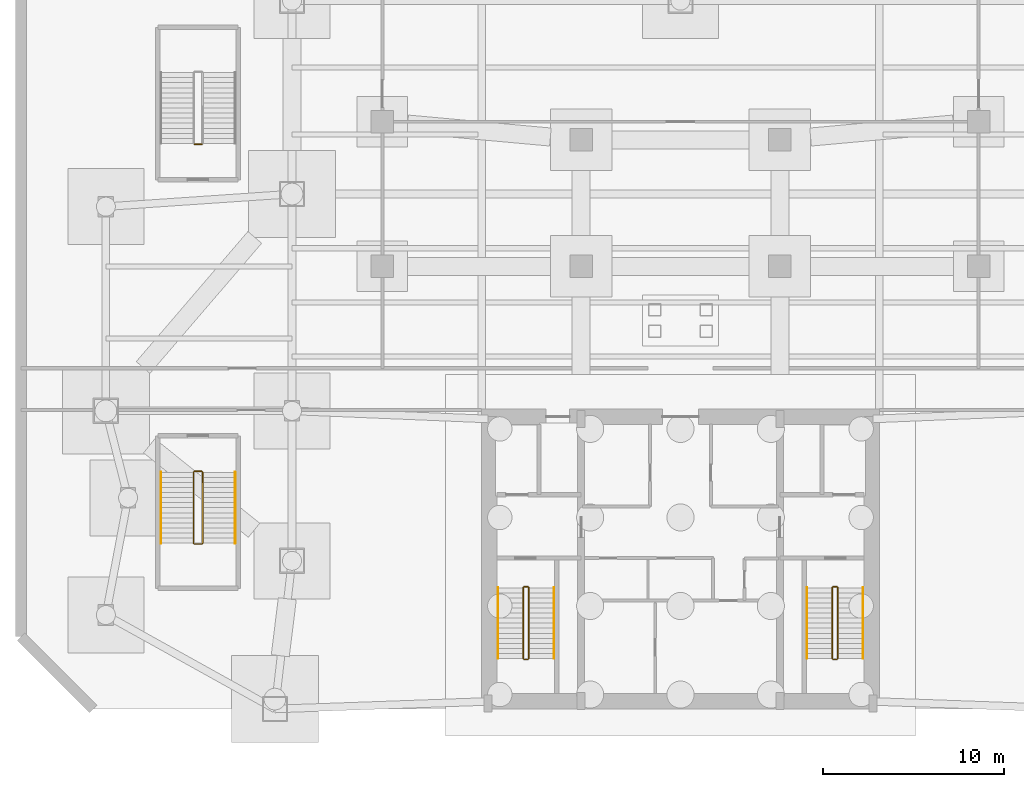
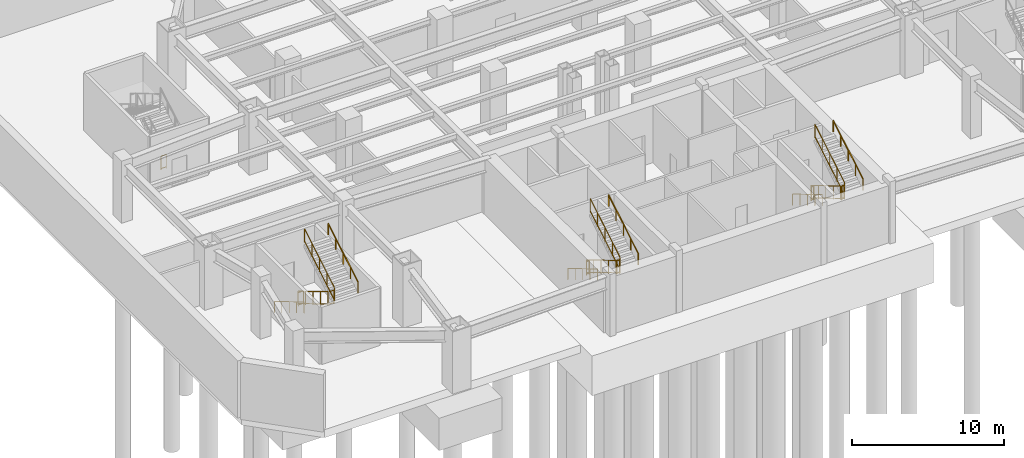
# One storey, part 6 of 7: 19 railings.
"""IFC4 building model written with IfcOpenShell, lengths in metres."""

from ifc_helpers import new_model, si_unit, direction, frame, origin, origin_2d, place, context, subcontext, project, spatial, rectangle, extrude, material, type_object, element, save


model = new_model("IFC4")

# Units and contexts
model_context = context("Model", 3, precision=1e-05, world=origin(), true_north=direction((0.0, 1.0)))
body_context = subcontext(model_context, "Body", "Model", "MODEL_VIEW")
ifc_project = project(units=[si_unit("LENGTHUNIT", "METRE"), si_unit("AREAUNIT", "SQUARE_METRE"), si_unit("VOLUMEUNIT", "CUBIC_METRE"), si_unit("PLANEANGLEUNIT", "RADIAN"), si_unit("MASSUNIT", "GRAM", prefix="KILO")], contexts=[model_context])

# Site, building, storey
site_placement = place(None, origin())
site = spatial("IfcSite", under=ifc_project, at=site_placement, CompositionType="ELEMENT")
building_placement = place(site_placement, origin())
building = spatial("IfcBuilding", under=site, at=building_placement, Name="Varnakhor Terracotta Tower", CompositionType="ELEMENT")
storey_placement = place(building_placement, frame((0.0, 0.0, -10.0)))
storey = spatial("IfcBuildingStorey", under=building, at=storey_placement, Name="B02", CompositionType="ELEMENT", Elevation=-10.0)

# Railings
ifc_material_1 = material(Name="Painted Steel Stairwell Guardrail", Category="steel")
railing_type_1 = type_object("IfcRailingType", Name="RLG-STAIR-GUARD-1120", PredefinedType="GUARDRAIL", material=ifc_material_1)
railing_1_placement = place(storey_placement, frame((-8.699951171875, 6.7099609375, 0.166748046875)))
element("IfcRailing", 1, at=railing_1_placement, inside=storey, type_object=railing_type_1, Name="B02 ST-1 stair guard 1", PredefinedType="GUARDRAIL", context=body_context, shape_type="SweptSolid", body=[
    extrude(rectangle(XDim=0.048095703125, YDim=0.048095703125, at=origin_2d()), frame((0.0, 0.0, 1.09619140625), z_axis=(0.0, -0.859296244711, 0.511478214419), x_axis=(1.0, 0.0, 0.0)), (0.0, 0.0, 1.0), 4.561767578125),
    extrude(rectangle(XDim=0.048095703125, YDim=0.048095703125, at=origin_2d()), frame((0.0, 0.0, 0.10009765625), z_axis=(0.0, -0.859296244711, 0.511478214419), x_axis=(1.0, 0.0, 0.0)), (0.0, 0.0, 1.0), 4.561767578125),
    extrude(rectangle(XDim=0.0419921875, YDim=0.0419921875, at=origin_2d()), origin(), (0.0, 0.0, 1.0), 1.072021484375),
    extrude(rectangle(XDim=0.0419921875, YDim=0.0419921875, at=origin_2d()), frame((0.0, -0.97998046875, 0.583251953125)), (0.0, 0.0, 1.0), 1.072021484375),
    extrude(rectangle(XDim=0.0419921875, YDim=0.0419921875, at=origin_2d()), frame((0.0, -1.9599609375, 1.16650390625)), (0.0, 0.0, 1.0), 1.072021484375),
    extrude(rectangle(XDim=0.0419921875, YDim=0.0419921875, at=origin_2d()), frame((0.0, -2.93994140625, 1.75)), (0.0, 0.0, 1.0), 1.072021484375),
    extrude(rectangle(XDim=0.0419921875, YDim=0.0419921875, at=origin_2d()), frame((0.0, -3.919921875, 2.333251953125)), (0.0, 0.0, 1.0), 1.072021484375),
])
railing_2_placement = place(storey_placement, frame((-8.64990234375, 2.739990234375, 2.5)))
element("IfcRailing", 2, at=railing_2_placement, inside=storey, type_object=railing_type_1, Name="B02 ST-1 stair guard 2", PredefinedType="GUARDRAIL", context=body_context, shape_type="SweptSolid", body=[
    extrude(rectangle(XDim=0.048095703125, YDim=0.048095703125, at=origin_2d()), frame((0.0, 0.0, 1.09619140625), z_axis=(1.0, 0.0, 0.0), x_axis=(0.0, 1.0, 0.0)), (0.0, 0.0, 1.0), 0.199951171875),
    extrude(rectangle(XDim=0.048095703125, YDim=0.048095703125, at=origin_2d()), frame((0.0, 0.0, 0.10009765625), z_axis=(1.0, 0.0, 0.0), x_axis=(0.0, 1.0, 0.0)), (0.0, 0.0, 1.0), 0.199951171875),
    extrude(rectangle(XDim=0.0419921875, YDim=0.0419921875, at=origin_2d()), origin(), (0.0, 0.0, 1.0), 1.072021484375),
    extrude(rectangle(XDim=0.0419921875, YDim=0.0419921875, at=origin_2d()), frame((0.199951171875, 0.0, 0.0)), (0.0, 0.0, 1.0), 1.072021484375),
])
railing_3_placement = place(storey_placement, frame((-8.39990234375, 2.7900390625, 2.666748046875)))
element("IfcRailing", 3, at=railing_3_placement, inside=storey, type_object=railing_type_1, Name="B02 ST-1 stair guard 3", PredefinedType="GUARDRAIL", context=body_context, shape_type="SweptSolid", body=[
    extrude(rectangle(XDim=0.048095703125, YDim=0.048095703125, at=origin_2d()), frame((0.0, 0.0, 1.09619140625), z_axis=(0.0, 0.859296244711, 0.511478214419), x_axis=(-1.0, 0.0, 0.0)), (0.0, 0.0, 1.0), 4.561767578125),
    extrude(rectangle(XDim=0.048095703125, YDim=0.048095703125, at=origin_2d()), frame((0.0, 0.0, 0.10009765625), z_axis=(0.0, 0.859296244711, 0.511478214419), x_axis=(-1.0, 0.0, 0.0)), (0.0, 0.0, 1.0), 4.561767578125),
    extrude(rectangle(XDim=0.0419921875, YDim=0.0419921875, at=origin_2d()), origin(), (0.0, 0.0, 1.0), 1.072021484375),
    extrude(rectangle(XDim=0.0419921875, YDim=0.0419921875, at=origin_2d()), frame((0.0, 0.97998046875, 0.583251953125)), (0.0, 0.0, 1.0), 1.072021484375),
    extrude(rectangle(XDim=0.0419921875, YDim=0.0419921875, at=origin_2d()), frame((0.0, 1.9599609375, 1.16650390625)), (0.0, 0.0, 1.0), 1.072021484375),
    extrude(rectangle(XDim=0.0419921875, YDim=0.0419921875, at=origin_2d()), frame((0.0, 2.93994140625, 1.75)), (0.0, 0.0, 1.0), 1.072021484375),
    extrude(rectangle(XDim=0.0419921875, YDim=0.0419921875, at=origin_2d()), frame((0.0, 3.919921875, 2.333251953125)), (0.0, 0.0, 1.0), 1.072021484375),
])
railing_4_placement = place(storey_placement, frame((-8.64990234375, 6.760009765625, 0.0)))
element("IfcRailing", 4, at=railing_4_placement, inside=storey, type_object=railing_type_1, Name="B02 ST-1 stair guard 4", PredefinedType="GUARDRAIL", context=body_context, shape_type="SweptSolid", body=[
    extrude(rectangle(XDim=0.048095703125, YDim=0.048095703125, at=origin_2d()), frame((0.0, 0.0, 1.09619140625), z_axis=(1.0, 0.0, 0.0), x_axis=(0.0, 1.0, 0.0)), (0.0, 0.0, 1.0), 0.199951171875),
    extrude(rectangle(XDim=0.048095703125, YDim=0.048095703125, at=origin_2d()), frame((0.0, 0.0, 0.10009765625), z_axis=(1.0, 0.0, 0.0), x_axis=(0.0, 1.0, 0.0)), (0.0, 0.0, 1.0), 0.199951171875),
    extrude(rectangle(XDim=0.0419921875, YDim=0.0419921875, at=origin_2d()), origin(), (0.0, 0.0, 1.0), 1.072021484375),
    extrude(rectangle(XDim=0.0419921875, YDim=0.0419921875, at=origin_2d()), frame((0.199951171875, 0.0, 0.0)), (0.0, 0.0, 1.0), 1.072021484375),
])
railing_5_placement = place(storey_placement, frame((8.39990234375, 6.7099609375, 0.166748046875)))
element("IfcRailing", 5, at=railing_5_placement, inside=storey, type_object=railing_type_1, Name="B02 ST-2 stair guard 1", PredefinedType="GUARDRAIL", context=body_context, shape_type="SweptSolid", body=[
    extrude(rectangle(XDim=0.048095703125, YDim=0.048095703125, at=origin_2d()), frame((0.0, 0.0, 1.09619140625), z_axis=(0.0, -0.859296244711, 0.511478214419), x_axis=(1.0, 0.0, 0.0)), (0.0, 0.0, 1.0), 4.561767578125),
    extrude(rectangle(XDim=0.048095703125, YDim=0.048095703125, at=origin_2d()), frame((0.0, 0.0, 0.10009765625), z_axis=(0.0, -0.859296244711, 0.511478214419), x_axis=(1.0, 0.0, 0.0)), (0.0, 0.0, 1.0), 4.561767578125),
    extrude(rectangle(XDim=0.0419921875, YDim=0.0419921875, at=origin_2d()), origin(), (0.0, 0.0, 1.0), 1.072021484375),
    extrude(rectangle(XDim=0.0419921875, YDim=0.0419921875, at=origin_2d()), frame((0.0, -0.97998046875, 0.583251953125)), (0.0, 0.0, 1.0), 1.072021484375),
    extrude(rectangle(XDim=0.0419921875, YDim=0.0419921875, at=origin_2d()), frame((0.0, -1.9599609375, 1.16650390625)), (0.0, 0.0, 1.0), 1.072021484375),
    extrude(rectangle(XDim=0.0419921875, YDim=0.0419921875, at=origin_2d()), frame((0.0, -2.93994140625, 1.75)), (0.0, 0.0, 1.0), 1.072021484375),
    extrude(rectangle(XDim=0.0419921875, YDim=0.0419921875, at=origin_2d()), frame((0.0, -3.919921875, 2.333251953125)), (0.0, 0.0, 1.0), 1.072021484375),
])
railing_6_placement = place(storey_placement, frame((8.449951171875, 2.739990234375, 2.5)))
element("IfcRailing", 6, at=railing_6_placement, inside=storey, type_object=railing_type_1, Name="B02 ST-2 stair guard 2", PredefinedType="GUARDRAIL", context=body_context, shape_type="SweptSolid", body=[
    extrude(rectangle(XDim=0.048095703125, YDim=0.048095703125, at=origin_2d()), frame((0.0, 0.0, 1.09619140625), z_axis=(1.0, 0.0, 0.0), x_axis=(0.0, 1.0, 0.0)), (0.0, 0.0, 1.0), 0.199951171875),
    extrude(rectangle(XDim=0.048095703125, YDim=0.048095703125, at=origin_2d()), frame((0.0, 0.0, 0.10009765625), z_axis=(1.0, 0.0, 0.0), x_axis=(0.0, 1.0, 0.0)), (0.0, 0.0, 1.0), 0.199951171875),
    extrude(rectangle(XDim=0.0419921875, YDim=0.0419921875, at=origin_2d()), origin(), (0.0, 0.0, 1.0), 1.072021484375),
    extrude(rectangle(XDim=0.0419921875, YDim=0.0419921875, at=origin_2d()), frame((0.199951171875, 0.0, 0.0)), (0.0, 0.0, 1.0), 1.072021484375),
])
railing_7_placement = place(storey_placement, frame((8.699951171875, 2.7900390625, 2.666748046875)))
element("IfcRailing", 7, at=railing_7_placement, inside=storey, type_object=railing_type_1, Name="B02 ST-2 stair guard 3", PredefinedType="GUARDRAIL", context=body_context, shape_type="SweptSolid", body=[
    extrude(rectangle(XDim=0.048095703125, YDim=0.048095703125, at=origin_2d()), frame((0.0, 0.0, 1.09619140625), z_axis=(0.0, 0.859296244711, 0.511478214419), x_axis=(-1.0, 0.0, 0.0)), (0.0, 0.0, 1.0), 4.561767578125),
    extrude(rectangle(XDim=0.048095703125, YDim=0.048095703125, at=origin_2d()), frame((0.0, 0.0, 0.10009765625), z_axis=(0.0, 0.859296244711, 0.511478214419), x_axis=(-1.0, 0.0, 0.0)), (0.0, 0.0, 1.0), 4.561767578125),
    extrude(rectangle(XDim=0.0419921875, YDim=0.0419921875, at=origin_2d()), origin(), (0.0, 0.0, 1.0), 1.072021484375),
    extrude(rectangle(XDim=0.0419921875, YDim=0.0419921875, at=origin_2d()), frame((0.0, 0.97998046875, 0.583251953125)), (0.0, 0.0, 1.0), 1.072021484375),
    extrude(rectangle(XDim=0.0419921875, YDim=0.0419921875, at=origin_2d()), frame((0.0, 1.9599609375, 1.16650390625)), (0.0, 0.0, 1.0), 1.072021484375),
    extrude(rectangle(XDim=0.0419921875, YDim=0.0419921875, at=origin_2d()), frame((0.0, 2.93994140625, 1.75)), (0.0, 0.0, 1.0), 1.072021484375),
    extrude(rectangle(XDim=0.0419921875, YDim=0.0419921875, at=origin_2d()), frame((0.0, 3.919921875, 2.333251953125)), (0.0, 0.0, 1.0), 1.072021484375),
])
railing_8_placement = place(storey_placement, frame((8.449951171875, 6.760009765625, 0.0)))
element("IfcRailing", 8, at=railing_8_placement, inside=storey, type_object=railing_type_1, Name="B02 ST-2 stair guard 4", PredefinedType="GUARDRAIL", context=body_context, shape_type="SweptSolid", body=[
    extrude(rectangle(XDim=0.048095703125, YDim=0.048095703125, at=origin_2d()), frame((0.0, 0.0, 1.09619140625), z_axis=(1.0, 0.0, 0.0), x_axis=(0.0, 1.0, 0.0)), (0.0, 0.0, 1.0), 0.199951171875),
    extrude(rectangle(XDim=0.048095703125, YDim=0.048095703125, at=origin_2d()), frame((0.0, 0.0, 0.10009765625), z_axis=(1.0, 0.0, 0.0), x_axis=(0.0, 1.0, 0.0)), (0.0, 0.0, 1.0), 0.199951171875),
    extrude(rectangle(XDim=0.0419921875, YDim=0.0419921875, at=origin_2d()), origin(), (0.0, 0.0, 1.0), 1.072021484375),
    extrude(rectangle(XDim=0.0419921875, YDim=0.0419921875, at=origin_2d()), frame((0.199951171875, 0.0, 0.0)), (0.0, 0.0, 1.0), 1.072021484375),
])
railing_9_placement = place(storey_placement, frame((-26.949951171875, 13.10009765625, 0.166748046875)))
element("IfcRailing", 9, at=railing_9_placement, inside=storey, type_object=railing_type_1, Name="B02 ST-P1 stair guard 1", PredefinedType="GUARDRAIL", context=body_context, shape_type="SweptSolid", body=[
    extrude(rectangle(XDim=0.048095703125, YDim=0.048095703125, at=origin_2d()), frame((0.0, 0.0, 1.09619140625), z_axis=(0.0, -0.859310244771, 0.511454693235), x_axis=(1.0, 0.0, 0.0)), (0.0, 0.0, 1.0), 4.56201171875),
    extrude(rectangle(XDim=0.048095703125, YDim=0.048095703125, at=origin_2d()), frame((0.0, 0.0, 0.10009765625), z_axis=(0.0, -0.859310244771, 0.511454693235), x_axis=(1.0, 0.0, 0.0)), (0.0, 0.0, 1.0), 4.56201171875),
    extrude(rectangle(XDim=0.0419921875, YDim=0.0419921875, at=origin_2d()), origin(), (0.0, 0.0, 1.0), 1.072021484375),
    extrude(rectangle(XDim=0.0419921875, YDim=0.0419921875, at=origin_2d()), frame((0.0, -0.97998046875, 0.583251953125)), (0.0, 0.0, 1.0), 1.072021484375),
    extrude(rectangle(XDim=0.0419921875, YDim=0.0419921875, at=origin_2d()), frame((0.0, -1.9599609375, 1.16650390625)), (0.0, 0.0, 1.0), 1.072021484375),
    extrude(rectangle(XDim=0.0419921875, YDim=0.0419921875, at=origin_2d()), frame((0.0, -2.940185546875, 1.75)), (0.0, 0.0, 1.0), 1.072021484375),
    extrude(rectangle(XDim=0.0419921875, YDim=0.0419921875, at=origin_2d()), frame((0.0, -3.920166015625, 2.333251953125)), (0.0, 0.0, 1.0), 1.072021484375),
])
railing_10_placement = place(storey_placement, frame((-26.89990234375, 9.1298828125, 2.5)))
element("IfcRailing", 10, at=railing_10_placement, inside=storey, type_object=railing_type_1, Name="B02 ST-P1 stair guard 2", PredefinedType="GUARDRAIL", context=body_context, shape_type="SweptSolid", body=[
    extrude(rectangle(XDim=0.048095703125, YDim=0.048095703125, at=origin_2d()), frame((0.0, 0.0, 1.09619140625), z_axis=(1.0, 0.0, 0.0), x_axis=(0.0, 1.0, 0.0)), (0.0, 0.0, 1.0), 0.39990234375),
    extrude(rectangle(XDim=0.048095703125, YDim=0.048095703125, at=origin_2d()), frame((0.0, 0.0, 0.10009765625), z_axis=(1.0, 0.0, 0.0), x_axis=(0.0, 1.0, 0.0)), (0.0, 0.0, 1.0), 0.39990234375),
    extrude(rectangle(XDim=0.0419921875, YDim=0.0419921875, at=origin_2d()), origin(), (0.0, 0.0, 1.0), 1.072021484375),
    extrude(rectangle(XDim=0.0419921875, YDim=0.0419921875, at=origin_2d()), frame((0.39990234375, 0.0, 0.0)), (0.0, 0.0, 1.0), 1.072021484375),
])
railing_11_placement = place(storey_placement, frame((-26.449951171875, 9.179931640625, 2.666748046875)))
element("IfcRailing", 11, at=railing_11_placement, inside=storey, type_object=railing_type_1, Name="B02 ST-P1 stair guard 3", PredefinedType="GUARDRAIL", context=body_context, shape_type="SweptSolid", body=[
    extrude(rectangle(XDim=0.048095703125, YDim=0.048095703125, at=origin_2d()), frame((0.0, 0.0, 1.09619140625), z_axis=(0.0, 0.859310244771, 0.511454693235), x_axis=(-1.0, 0.0, 0.0)), (0.0, 0.0, 1.0), 4.56201171875),
    extrude(rectangle(XDim=0.048095703125, YDim=0.048095703125, at=origin_2d()), frame((0.0, 0.0, 0.10009765625), z_axis=(0.0, 0.859310244771, 0.511454693235), x_axis=(-1.0, 0.0, 0.0)), (0.0, 0.0, 1.0), 4.56201171875),
    extrude(rectangle(XDim=0.0419921875, YDim=0.0419921875, at=origin_2d()), origin(), (0.0, 0.0, 1.0), 1.072021484375),
    extrude(rectangle(XDim=0.0419921875, YDim=0.0419921875, at=origin_2d()), frame((0.0, 0.97998046875, 0.583251953125)), (0.0, 0.0, 1.0), 1.072021484375),
    extrude(rectangle(XDim=0.0419921875, YDim=0.0419921875, at=origin_2d()), frame((0.0, 1.9599609375, 1.16650390625)), (0.0, 0.0, 1.0), 1.072021484375),
    extrude(rectangle(XDim=0.0419921875, YDim=0.0419921875, at=origin_2d()), frame((0.0, 2.940185546875, 1.75)), (0.0, 0.0, 1.0), 1.072021484375),
    extrude(rectangle(XDim=0.0419921875, YDim=0.0419921875, at=origin_2d()), frame((0.0, 3.920166015625, 2.333251953125)), (0.0, 0.0, 1.0), 1.072021484375),
])
railing_12_placement = place(storey_placement, frame((-26.89990234375, 13.14990234375, 0.0)))
element("IfcRailing", 12, at=railing_12_placement, inside=storey, type_object=railing_type_1, Name="B02 ST-P1 stair guard 4", PredefinedType="GUARDRAIL", context=body_context, shape_type="SweptSolid", body=[
    extrude(rectangle(XDim=0.048095703125, YDim=0.048095703125, at=origin_2d()), frame((0.0, 0.0, 1.09619140625), z_axis=(1.0, 0.0, 0.0), x_axis=(0.0, 1.0, 0.0)), (0.0, 0.0, 1.0), 0.39990234375),
    extrude(rectangle(XDim=0.048095703125, YDim=0.048095703125, at=origin_2d()), frame((0.0, 0.0, 0.10009765625), z_axis=(1.0, 0.0, 0.0), x_axis=(0.0, 1.0, 0.0)), (0.0, 0.0, 1.0), 0.39990234375),
    extrude(rectangle(XDim=0.0419921875, YDim=0.0419921875, at=origin_2d()), origin(), (0.0, 0.0, 1.0), 1.072021484375),
    extrude(rectangle(XDim=0.0419921875, YDim=0.0419921875, at=origin_2d()), frame((0.39990234375, 0.0, 0.0)), (0.0, 0.0, 1.0), 1.072021484375),
])
railing_13_placement = place(storey_placement, frame((-26.5, 31.25, 0.0)))
element("IfcRailing", 13, at=railing_13_placement, inside=storey, type_object=railing_type_1, Name="B02 ST-P3 stair guard 4", PredefinedType="GUARDRAIL", context=body_context, shape_type="SweptSolid", body=[
    extrude(rectangle(XDim=0.048095703125, YDim=0.048095703125, at=origin_2d()), frame((0.0, 0.0, 1.09619140625), z_axis=(-1.0, 0.0, 0.0), x_axis=(0.0, -1.0, 0.0)), (0.0, 0.0, 1.0), 0.39990234375),
    extrude(rectangle(XDim=0.048095703125, YDim=0.048095703125, at=origin_2d()), frame((0.0, 0.0, 0.10009765625), z_axis=(-1.0, 0.0, 0.0), x_axis=(0.0, -1.0, 0.0)), (0.0, 0.0, 1.0), 0.39990234375),
    extrude(rectangle(XDim=0.0419921875, YDim=0.0419921875, at=origin_2d()), origin(), (0.0, 0.0, 1.0), 1.072021484375),
    extrude(rectangle(XDim=0.0419921875, YDim=0.0419921875, at=origin_2d()), frame((-0.39990234375, 0.0, 0.0)), (0.0, 0.0, 1.0), 1.072021484375),
])
ifc_material_2 = material(Name="Brushed Stainless Steel Handrail", Category="steel")
railing_type_2 = type_object("IfcRailingType", Name="RLG-STAIR-HANDRAIL-920", PredefinedType="HANDRAIL", material=ifc_material_2)
railing_14_placement = place(storey_placement, frame((-10.10009765625, 6.7099609375, 0.166748046875)))
element("IfcRailing", 14, at=railing_14_placement, inside=storey, type_object=railing_type_2, Name="B02 ST-1 stair handrail 1", PredefinedType="HANDRAIL", context=body_context, shape_type="SweptSolid", body=[
    extrude(rectangle(XDim=0.048095703125, YDim=0.048095703125, at=origin_2d()), frame((0.0, 0.0, 0.89599609375), z_axis=(0.0, -0.859296244711, 0.511478214419), x_axis=(1.0, 0.0, 0.0)), (0.0, 0.0, 1.0), 4.561767578125),
    extrude(rectangle(XDim=0.0419921875, YDim=0.0419921875, at=origin_2d()), origin(), (0.0, 0.0, 1.0), 0.871826171875),
    extrude(rectangle(XDim=0.0419921875, YDim=0.0419921875, at=origin_2d()), frame((0.0, -0.97998046875, 0.583251953125)), (0.0, 0.0, 1.0), 0.871826171875),
    extrude(rectangle(XDim=0.0419921875, YDim=0.0419921875, at=origin_2d()), frame((0.0, -1.9599609375, 1.16650390625)), (0.0, 0.0, 1.0), 0.871826171875),
    extrude(rectangle(XDim=0.0419921875, YDim=0.0419921875, at=origin_2d()), frame((0.0, -2.93994140625, 1.75)), (0.0, 0.0, 1.0), 0.871826171875),
    extrude(rectangle(XDim=0.0419921875, YDim=0.0419921875, at=origin_2d()), frame((0.0, -3.919921875, 2.333251953125)), (0.0, 0.0, 1.0), 0.871826171875),
])
railing_15_placement = place(storey_placement, frame((-7.0, 2.7900390625, 2.666748046875)))
element("IfcRailing", 15, at=railing_15_placement, inside=storey, type_object=railing_type_2, Name="B02 ST-1 stair handrail 2", PredefinedType="HANDRAIL", context=body_context, shape_type="SweptSolid", body=[
    extrude(rectangle(XDim=0.048095703125, YDim=0.048095703125, at=origin_2d()), frame((0.0, 0.0, 0.89599609375), z_axis=(0.0, 0.859296244711, 0.511478214419), x_axis=(-1.0, 0.0, 0.0)), (0.0, 0.0, 1.0), 4.561767578125),
    extrude(rectangle(XDim=0.0419921875, YDim=0.0419921875, at=origin_2d()), origin(), (0.0, 0.0, 1.0), 0.871826171875),
    extrude(rectangle(XDim=0.0419921875, YDim=0.0419921875, at=origin_2d()), frame((0.0, 0.97998046875, 0.583251953125)), (0.0, 0.0, 1.0), 0.871826171875),
    extrude(rectangle(XDim=0.0419921875, YDim=0.0419921875, at=origin_2d()), frame((0.0, 1.9599609375, 1.16650390625)), (0.0, 0.0, 1.0), 0.871826171875),
    extrude(rectangle(XDim=0.0419921875, YDim=0.0419921875, at=origin_2d()), frame((0.0, 2.93994140625, 1.75)), (0.0, 0.0, 1.0), 0.871826171875),
    extrude(rectangle(XDim=0.0419921875, YDim=0.0419921875, at=origin_2d()), frame((0.0, 3.919921875, 2.333251953125)), (0.0, 0.0, 1.0), 0.871826171875),
])
railing_16_placement = place(storey_placement, frame((7.0, 6.7099609375, 0.166748046875)))
element("IfcRailing", 16, at=railing_16_placement, inside=storey, type_object=railing_type_2, Name="B02 ST-2 stair handrail 1", PredefinedType="HANDRAIL", context=body_context, shape_type="SweptSolid", body=[
    extrude(rectangle(XDim=0.048095703125, YDim=0.048095703125, at=origin_2d()), frame((0.0, 0.0, 0.89599609375), z_axis=(0.0, -0.859296244711, 0.511478214419), x_axis=(1.0, 0.0, 0.0)), (0.0, 0.0, 1.0), 4.561767578125),
    extrude(rectangle(XDim=0.0419921875, YDim=0.0419921875, at=origin_2d()), origin(), (0.0, 0.0, 1.0), 0.871826171875),
    extrude(rectangle(XDim=0.0419921875, YDim=0.0419921875, at=origin_2d()), frame((0.0, -0.97998046875, 0.583251953125)), (0.0, 0.0, 1.0), 0.871826171875),
    extrude(rectangle(XDim=0.0419921875, YDim=0.0419921875, at=origin_2d()), frame((0.0, -1.9599609375, 1.16650390625)), (0.0, 0.0, 1.0), 0.871826171875),
    extrude(rectangle(XDim=0.0419921875, YDim=0.0419921875, at=origin_2d()), frame((0.0, -2.93994140625, 1.75)), (0.0, 0.0, 1.0), 0.871826171875),
    extrude(rectangle(XDim=0.0419921875, YDim=0.0419921875, at=origin_2d()), frame((0.0, -3.919921875, 2.333251953125)), (0.0, 0.0, 1.0), 0.871826171875),
])
railing_17_placement = place(storey_placement, frame((10.10009765625, 2.7900390625, 2.666748046875)))
element("IfcRailing", 17, at=railing_17_placement, inside=storey, type_object=railing_type_2, Name="B02 ST-2 stair handrail 2", PredefinedType="HANDRAIL", context=body_context, shape_type="SweptSolid", body=[
    extrude(rectangle(XDim=0.048095703125, YDim=0.048095703125, at=origin_2d()), frame((0.0, 0.0, 0.89599609375), z_axis=(0.0, 0.859296244711, 0.511478214419), x_axis=(-1.0, 0.0, 0.0)), (0.0, 0.0, 1.0), 4.561767578125),
    extrude(rectangle(XDim=0.0419921875, YDim=0.0419921875, at=origin_2d()), origin(), (0.0, 0.0, 1.0), 0.871826171875),
    extrude(rectangle(XDim=0.0419921875, YDim=0.0419921875, at=origin_2d()), frame((0.0, 0.97998046875, 0.583251953125)), (0.0, 0.0, 1.0), 0.871826171875),
    extrude(rectangle(XDim=0.0419921875, YDim=0.0419921875, at=origin_2d()), frame((0.0, 1.9599609375, 1.16650390625)), (0.0, 0.0, 1.0), 0.871826171875),
    extrude(rectangle(XDim=0.0419921875, YDim=0.0419921875, at=origin_2d()), frame((0.0, 2.93994140625, 1.75)), (0.0, 0.0, 1.0), 0.871826171875),
    extrude(rectangle(XDim=0.0419921875, YDim=0.0419921875, at=origin_2d()), frame((0.0, 3.919921875, 2.333251953125)), (0.0, 0.0, 1.0), 0.871826171875),
])
railing_18_placement = place(storey_placement, frame((-28.75, 13.10009765625, 0.166748046875)))
element("IfcRailing", 18, at=railing_18_placement, inside=storey, type_object=railing_type_2, Name="B02 ST-P1 stair handrail 1", PredefinedType="HANDRAIL", context=body_context, shape_type="SweptSolid", body=[
    extrude(rectangle(XDim=0.048095703125, YDim=0.048095703125, at=origin_2d()), frame((0.0, 0.0, 0.89599609375), z_axis=(0.0, -0.859310244771, 0.511454693235), x_axis=(1.0, 0.0, 0.0)), (0.0, 0.0, 1.0), 4.56201171875),
    extrude(rectangle(XDim=0.0419921875, YDim=0.0419921875, at=origin_2d()), origin(), (0.0, 0.0, 1.0), 0.871826171875),
    extrude(rectangle(XDim=0.0419921875, YDim=0.0419921875, at=origin_2d()), frame((0.0, -0.97998046875, 0.583251953125)), (0.0, 0.0, 1.0), 0.871826171875),
    extrude(rectangle(XDim=0.0419921875, YDim=0.0419921875, at=origin_2d()), frame((0.0, -1.9599609375, 1.16650390625)), (0.0, 0.0, 1.0), 0.871826171875),
    extrude(rectangle(XDim=0.0419921875, YDim=0.0419921875, at=origin_2d()), frame((0.0, -2.940185546875, 1.75)), (0.0, 0.0, 1.0), 0.871826171875),
    extrude(rectangle(XDim=0.0419921875, YDim=0.0419921875, at=origin_2d()), frame((0.0, -3.920166015625, 2.333251953125)), (0.0, 0.0, 1.0), 0.871826171875),
])
railing_19_placement = place(storey_placement, frame((-24.64990234375, 9.179931640625, 2.666748046875)))
element("IfcRailing", 19, at=railing_19_placement, inside=storey, type_object=railing_type_2, Name="B02 ST-P1 stair handrail 2", PredefinedType="HANDRAIL", context=body_context, shape_type="SweptSolid", body=[
    extrude(rectangle(XDim=0.048095703125, YDim=0.048095703125, at=origin_2d()), frame((0.0, 0.0, 0.89599609375), z_axis=(0.0, 0.859310244771, 0.511454693235), x_axis=(-1.0, 0.0, 0.0)), (0.0, 0.0, 1.0), 4.56201171875),
    extrude(rectangle(XDim=0.0419921875, YDim=0.0419921875, at=origin_2d()), origin(), (0.0, 0.0, 1.0), 0.871826171875),
    extrude(rectangle(XDim=0.0419921875, YDim=0.0419921875, at=origin_2d()), frame((0.0, 0.97998046875, 0.583251953125)), (0.0, 0.0, 1.0), 0.871826171875),
    extrude(rectangle(XDim=0.0419921875, YDim=0.0419921875, at=origin_2d()), frame((0.0, 1.9599609375, 1.16650390625)), (0.0, 0.0, 1.0), 0.871826171875),
    extrude(rectangle(XDim=0.0419921875, YDim=0.0419921875, at=origin_2d()), frame((0.0, 2.940185546875, 1.75)), (0.0, 0.0, 1.0), 0.871826171875),
    extrude(rectangle(XDim=0.0419921875, YDim=0.0419921875, at=origin_2d()), frame((0.0, 3.920166015625, 2.333251953125)), (0.0, 0.0, 1.0), 0.871826171875),
])

save(model, "model.ifc")
